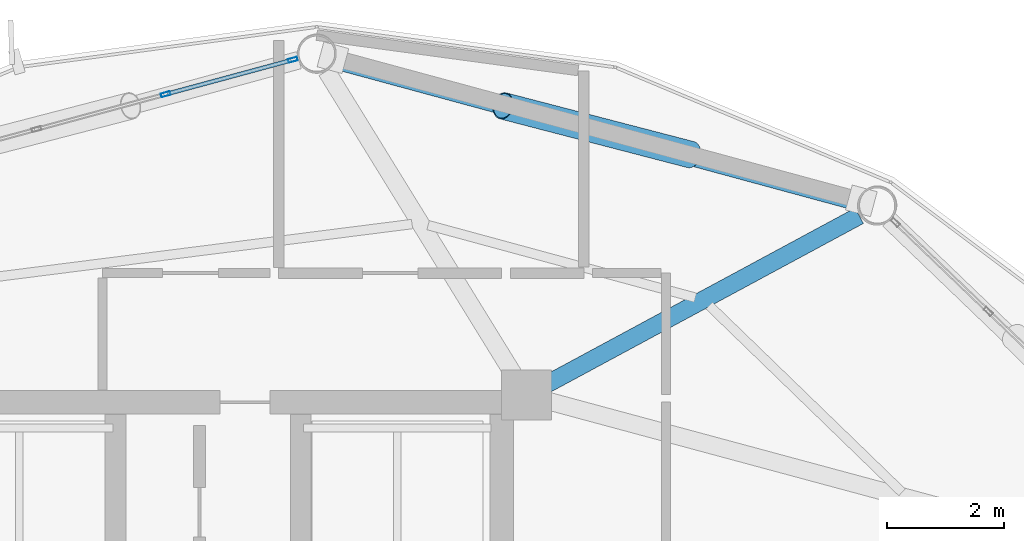
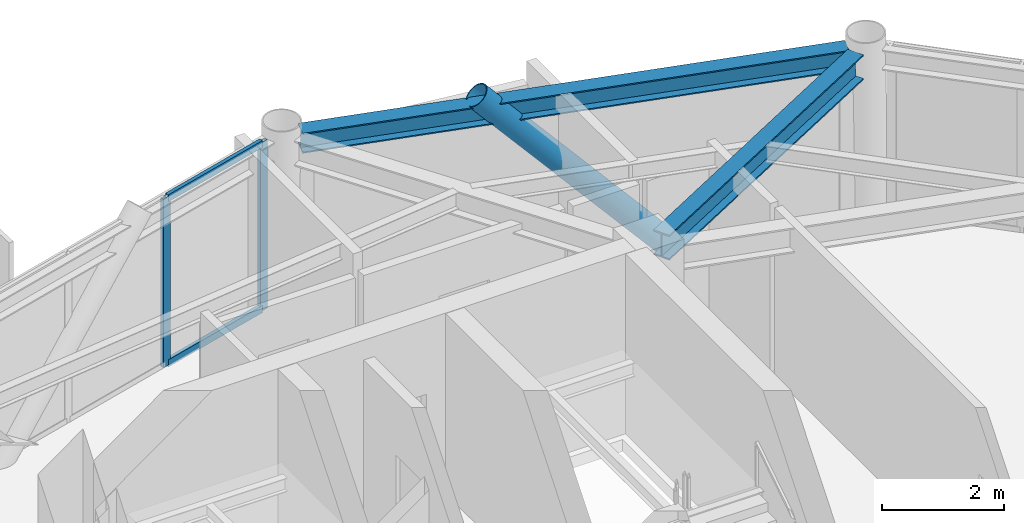
# One storey, part 20 of 28: 5 members, 2 beams, 1 element without a shape of its own.
"""IFC4 building model written with IfcOpenShell, lengths in metres."""

from ifc_helpers import new_model, si_unit, direction, frame, origin, origin_2d, place, context, subcontext, project, spatial, hollow_rectangle, hollow_circle, i_section, extrude, material, layer, layer_set, material_profile, profile_set, type_object, element, aggregate, save


model = new_model("IFC4")

# Units and contexts
model_context = context("Model", 3, precision=1e-05, world=origin(), true_north=direction((0.0, 1.0)))
body_context = subcontext(model_context, "Body", "Model", "MODEL_VIEW")
ifc_project = project(units=[si_unit("LENGTHUNIT", "METRE"), si_unit("AREAUNIT", "SQUARE_METRE"), si_unit("VOLUMEUNIT", "CUBIC_METRE"), si_unit("PLANEANGLEUNIT", "RADIAN"), si_unit("MASSUNIT", "GRAM", prefix="KILO")], contexts=[model_context])

# Site, building, storey
site_placement = place(None, origin())
site = spatial("IfcSite", under=ifc_project, at=site_placement, CompositionType="ELEMENT")
building_placement = place(site_placement, origin())
building = spatial("IfcBuilding", under=site, at=building_placement, Name="Varnakorn Sky Granary", CompositionType="ELEMENT")
storey_placement = place(building_placement, frame((0.0, 0.0, 207.60009765625)))
storey = spatial("IfcBuildingStorey", under=building, at=storey_placement, Name="L52", CompositionType="ELEMENT", Elevation=207.60009765625)

# Beams
ifc_material_1 = material(Name="Steel S355JR", Category="steel")
ifc_material_profile_1 = material_profile(ifc_material_1, i_section(OverallWidth=0.300048828125, OverallDepth=0.5, WebThickness=0.014404296875, FlangeThickness=0.028076171875, at=origin_2d()), Name="HE 500 B")
ifc_profile_set_1 = profile_set([ifc_material_profile_1], Name="Steel S355JR")
beam_type_1 = type_object("IfcBeamType", Name="BM-RAD-Z4", PredefinedType="BEAM", material=ifc_profile_set_1)
beam_1_placement = place(storey_placement, frame((8.776611328125, 12.812255859375, 3.10986328125), z_axis=(0.880215220266, 0.474574721211, 0.0), x_axis=(-0.474574721211, 0.880215220266, 0.0)))
element("IfcBeam", 1, at=beam_1_placement, inside=storey, type_object=beam_type_1, Name="Radial Floor Girder RG03 L52", PredefinedType="BEAM", context=body_context, shape_type="SweptSolid", body=[
    extrude(i_section(OverallWidth=0.300048828125, OverallDepth=0.5, WebThickness=0.014404296875, FlangeThickness=0.028076171875, at=origin_2d()), origin(), (0.0, 0.0, 1.0), 6.03857421875),
])
ifc_material_profile_2 = material_profile(ifc_material_1, i_section(OverallWidth=0.300048828125, OverallDepth=0.39990234375, WebThickness=0.013427734375, FlangeThickness=0.02392578125, at=origin_2d()), Name="HE 400 B")
ifc_profile_set_2 = profile_set([ifc_material_profile_2], Name="Steel S355JR")
beam_type_2 = type_object("IfcBeamType", Name="BM-SPD-Z4", PredefinedType="SPANDREL", material=ifc_profile_set_2)
beam_2_placement = place(storey_placement, frame((14.06494140625, 15.909912109375, 3.159912109375), z_axis=(-0.965080415156, 0.261953797993, 0.0), x_axis=(-0.261953797993, -0.965080415156, 0.0)))
element("IfcBeam", 2, at=beam_2_placement, inside=storey, type_object=beam_type_2, Name="Perimeter Spandrel Ring Beam RB03 L52", PredefinedType="SPANDREL", context=body_context, shape_type="SweptSolid", body=[
    extrude(i_section(OverallWidth=0.300048828125, OverallDepth=0.39990234375, WebThickness=0.013427734375, FlangeThickness=0.02392578125, at=origin_2d()), origin(), (0.0, 0.0, 1.0), 9.2333984375),
])

# Curtain wall, members
ifc_material_2 = material(Name="Anodised Bronze Aluminium Alloy 6063-T6", Category="aluminium")
ifc_layer = layer(ifc_material_2, 0.169921875, Name="Anodised Bronze Aluminium Alloy 6063-T6")
ifc_layer_set = layer_set([ifc_layer], Name="Anodised Bronze Aluminium Alloy 6063-T6")
curtain_wall_type = type_object("IfcCurtainWallType", Name="CW-LAB-1", PredefinedType="USERDEFINED", material=ifc_layer_set)
curtain_wall_placement = place(storey_placement, origin())
curtain_wall = element("IfcCurtainWall", 3, at=curtain_wall_placement, inside=storey, type_object=curtain_wall_type, Name="Unitised Curtain Wall CW5 CW-L52-B04", ObjectType="CURTAIN WALL", PredefinedType="USERDEFINED")
ifc_material_profile_3 = material_profile(ifc_material_2, hollow_rectangle(XDim=0.06494140625, YDim=0.159912109375, WallThickness=0.00341796875, at=origin_2d()), Name="ALU MULL 65x160")
ifc_profile_set_3 = profile_set([ifc_material_profile_3], Name="Anodised Bronze Aluminium Alloy 6063-T6")
member_type_1 = type_object("IfcMemberType", Name="CW-LAB-1-MULL", PredefinedType="MULLION", material=ifc_profile_set_3)
member_1_placement = place(storey_placement, frame((2.273681640625, 17.7470703125, 0.0), z_axis=(0.0, 0.0, 1.0), x_axis=(-0.261502123426, 0.965202900661, 0.0)))
member_1 = element("IfcMember", 4, at=member_1_placement, type_object=member_type_1, Name="CW5 mullion 4", PredefinedType="MULLION", context=body_context, shape_type="SweptSolid", body=[
    extrude(hollow_rectangle(XDim=0.06494140625, YDim=0.159912109375, WallThickness=0.00341796875, at=origin_2d()), origin(), (0.0, 0.0, 1.0), 3.35986328125),
])
member_2_placement = place(storey_placement, frame((4.442138671875, 18.33447265625, 0.0), z_axis=(0.0, 0.0, 1.0), x_axis=(-0.261502123426, 0.965202900661, 0.0)))
member_2 = element("IfcMember", 5, at=member_2_placement, type_object=member_type_1, Name="CW5 mullion 5", PredefinedType="MULLION", context=body_context, shape_type="SweptSolid", body=[
    extrude(hollow_rectangle(XDim=0.06494140625, YDim=0.159912109375, WallThickness=0.00341796875, at=origin_2d()), origin(), (0.0, 0.0, 1.0), 3.35986328125),
])
ifc_material_profile_4 = material_profile(ifc_material_2, hollow_rectangle(XDim=0.070068359375, YDim=0.139892578125, WallThickness=0.00341796875, at=origin_2d()), Name="ALU TRAN 70x140")
ifc_profile_set_4 = profile_set([ifc_material_profile_4], Name="Anodised Bronze Aluminium Alloy 6063-T6")
member_type_2 = type_object("IfcMemberType", Name="CW-LAB-1-TRAN", PredefinedType="USERDEFINED", material=ifc_profile_set_4)
member_3_placement = place(storey_placement, frame((2.304931640625, 17.75537109375, 0.034912109375), z_axis=(0.965204016592, 0.261498004495, 0.0), x_axis=(-0.261498004495, 0.965204016592, 0.0)))
member_3 = element("IfcMember", 6, at=member_3_placement, type_object=member_type_2, Name="CW5 transom 4.1", ObjectType="TRANSOM", PredefinedType="USERDEFINED", context=body_context, shape_type="SweptSolid", body=[
    extrude(hollow_rectangle(XDim=0.070068359375, YDim=0.139892578125, WallThickness=0.00341796875, at=origin_2d()), origin(), (0.0, 0.0, 1.0), 2.181884765625),
])
member_4_placement = place(storey_placement, frame((2.304931640625, 17.75537109375, 3.324951171875), z_axis=(0.965204016592, 0.261498004495, 0.0), x_axis=(-0.261498004495, 0.965204016592, 0.0)))
member_4 = element("IfcMember", 7, at=member_4_placement, type_object=member_type_2, Name="CW5 transom 4.2", ObjectType="TRANSOM", PredefinedType="USERDEFINED", context=body_context, shape_type="SweptSolid", body=[
    extrude(hollow_rectangle(XDim=0.070068359375, YDim=0.139892578125, WallThickness=0.00341796875, at=origin_2d()), origin(), (0.0, 0.0, 1.0), 2.181884765625),
])
aggregate(curtain_wall, [member_1, member_2, member_3, member_4])

# Member
ifc_material_3 = material(Name="Steel S460M", Category="steel")
ifc_material_profile_5 = material_profile(ifc_material_3, hollow_circle(Radius=0.228515625, WallThickness=0.01611328125, at=origin_2d()), Name="CHS 457x16")
ifc_profile_set_5 = profile_set([ifc_material_profile_5], Name="Steel S460M")
member_type_3 = type_object("IfcMemberType", Name="MB-DIAG-T3", PredefinedType="BRACE", material=ifc_profile_set_5)
member_5_placement = place(storey_placement, frame((11.21826171875, 16.719482421875, -0.130126953125), z_axis=(-0.652176502421, 0.169472210019, 0.738880896844), x_axis=(-0.251503626725, -0.967856355946, 0.0)))
element("IfcMember", 8, at=member_5_placement, inside=storey, type_object=member_type_3, Name="Perimeter CHS Diagrid Brace DG03 L52", PredefinedType="BRACE", context=body_context, shape_type="SweptSolid", body=[
    extrude(hollow_circle(Radius=0.228515625, WallThickness=0.01611328125, at=origin_2d()), origin(), (0.0, 0.0, 1.0), 4.8994140625),
])

save(model, "model.ifc")
